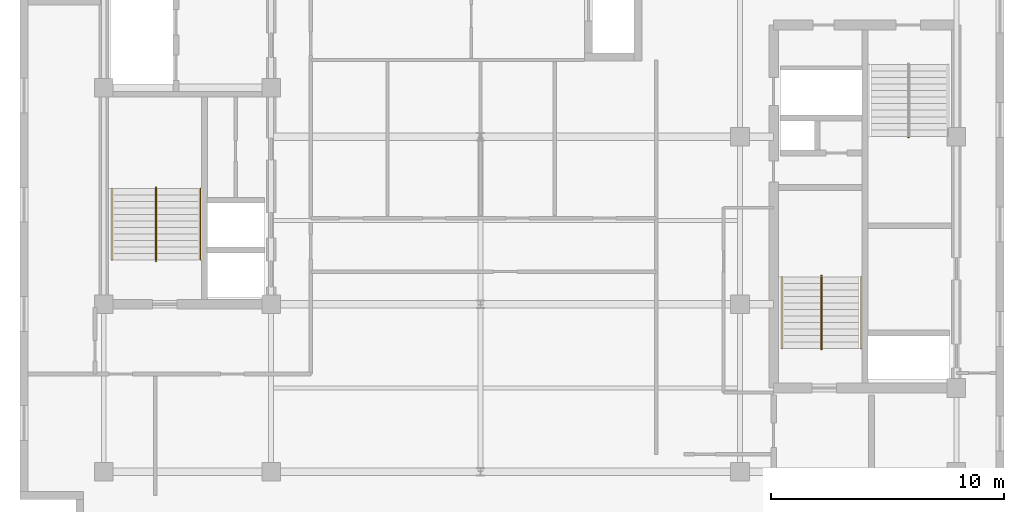
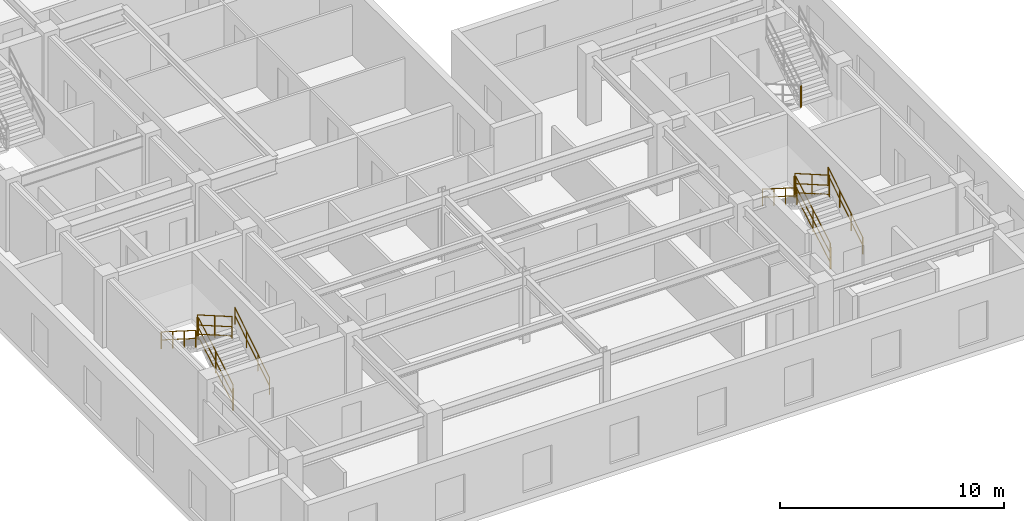
# One storey, part 8 of 10: 13 railings.
"""IFC4 building model written with IfcOpenShell, lengths in metres."""

from ifc_helpers import new_model, entity, si_unit, converted_unit, direction, frame, origin_with_axes, origin_2d_with_axis, place, context, subcontext, project, spatial, rectangle, circle, extrude, material, type_object, element, save


model = new_model("IFC4")

# Units and contexts
model_context = context("Model", 3, precision=1e-05, world=origin_with_axes(), true_north=direction((0.0, 1.0)))
body_context = subcontext(model_context, "Body", "Model", "MODEL_VIEW")
ifc_project = project(units=[si_unit("LENGTHUNIT", "METRE"), si_unit("AREAUNIT", "SQUARE_METRE"), si_unit("VOLUMEUNIT", "CUBIC_METRE"), converted_unit("PLANEANGLEUNIT", "DEGREE", entity("IfcPlaneAngleMeasure", 0.017453292519943295), si_unit("PLANEANGLEUNIT", "RADIAN"), dimensions=[0, 0, 0, 0, 0, 0, 0]), si_unit("MASSUNIT", "GRAM", prefix="KILO"), si_unit("THERMODYNAMICTEMPERATUREUNIT", "KELVIN")], contexts=[model_context])

# Site, building, storey
site_placement = place(None, origin_with_axes())
site = spatial("IfcSite", under=ifc_project, at=site_placement, CompositionType="ELEMENT")
building_placement = place(site_placement, origin_with_axes())
building = spatial("IfcBuilding", under=site, at=building_placement, Name="Varnlund Millrace Tower", CompositionType="ELEMENT")
storey_placement = place(building_placement, frame((0.0, 0.0, 272.4), z_axis=(0.0, 0.0, 1.0), x_axis=(1.0, 0.0, 0.0)))
storey = spatial("IfcBuildingStorey", under=building, at=storey_placement, Name="L67", CompositionType="ELEMENT", Elevation=272.4)

# Railings
ifc_material_1 = material(Name="Painted steel stair well balustrade guard", Category="steel")
railing_type_1 = type_object("IfcRailingType", Name="Type-StairGuard-1150", PredefinedType="GUARDRAIL", material=ifc_material_1)
railing_1_placement = place(storey_placement, frame((0.0, 0.0, -272.4), z_axis=(0.0, 0.0, 1.0), x_axis=(1.0, 0.0, 0.0)))
element("IfcRailing", 1, at=railing_1_placement, inside=storey, type_object=railing_type_1, Name="Type-StairGuard-1150", PredefinedType="GUARDRAIL", context=body_context, shape_type="SweptSolid", body=[
    extrude(circle(Radius=0.024, at=origin_2d_with_axis()), frame((13.675, 12.7, 273.727273), z_axis=(0.0, 0.866696, 0.498836), x_axis=(-1.0, 0.0, 0.0)), (0.0, 0.0, 1.0), 3.553725),
    extrude(circle(Radius=0.024, at=origin_2d_with_axis()), frame((13.675, 12.7, 272.677273), z_axis=(0.0, 0.866696, 0.498836), x_axis=(-1.0, 0.0, 0.0)), (0.0, 0.0, 1.0), 3.553725),
    extrude(circle(Radius=0.024, at=origin_2d_with_axis()), frame((13.675, 12.7, 273.175273), z_axis=(0.0, 0.866696, 0.498836), x_axis=(-1.0, 0.0, 0.0)), (0.0, 0.0, 1.0), 3.553725),
    extrude(rectangle(XDim=0.04, YDim=0.04, at=origin_2d_with_axis()), frame((13.675, 12.7, 272.537273), z_axis=(0.0, 0.0, 1.0), x_axis=(1.0, 0.0, 0.0)), (0.0, 0.0, 1.0), 1.19),
    extrude(rectangle(XDim=0.04, YDim=0.04, at=origin_2d_with_axis()), frame((13.675, 14.24, 273.423636), z_axis=(0.0, 0.0, 1.0), x_axis=(1.0, 0.0, 0.0)), (0.0, 0.0, 1.0), 1.19),
    extrude(rectangle(XDim=0.04, YDim=0.04, at=origin_2d_with_axis()), frame((13.675, 15.78, 274.31), z_axis=(0.0, 0.0, 1.0), x_axis=(1.0, 0.0, 0.0)), (0.0, 0.0, 1.0), 1.19),
])
railing_2_placement = place(storey_placement, frame((0.0, 0.0, -272.4), z_axis=(0.0, 0.0, 1.0), x_axis=(1.0, 0.0, 0.0)))
element("IfcRailing", 2, at=railing_2_placement, inside=storey, type_object=railing_type_1, Name="Type-StairGuard-1150", PredefinedType="GUARDRAIL", context=body_context, shape_type="SweptSolid", body=[
    extrude(circle(Radius=0.024, at=origin_2d_with_axis()), frame((13.625, 15.83, 275.5), z_axis=(1.0, 0.0, 0.0), x_axis=(0.0, 1.0, 0.0)), (0.0, 0.0, 1.0), 0.05),
    extrude(circle(Radius=0.024, at=origin_2d_with_axis()), frame((13.625, 15.83, 274.45), z_axis=(1.0, 0.0, 0.0), x_axis=(0.0, 1.0, 0.0)), (0.0, 0.0, 1.0), 0.05),
    extrude(circle(Radius=0.024, at=origin_2d_with_axis()), frame((13.625, 15.83, 274.948), z_axis=(1.0, 0.0, 0.0), x_axis=(0.0, 1.0, 0.0)), (0.0, 0.0, 1.0), 0.05),
    extrude(rectangle(XDim=0.04, YDim=0.04, at=origin_2d_with_axis()), frame((13.625, 15.83, 274.31), z_axis=(0.0, 0.0, 1.0), x_axis=(1.0, 0.0, 0.0)), (0.0, 0.0, 1.0), 1.19),
    extrude(rectangle(XDim=0.04, YDim=0.04, at=origin_2d_with_axis()), frame((13.675, 15.83, 274.31), z_axis=(0.0, 0.0, 1.0), x_axis=(1.0, 0.0, 0.0)), (0.0, 0.0, 1.0), 1.19),
])
railing_3_placement = place(storey_placement, frame((0.0, 0.0, -272.4), z_axis=(0.0, 0.0, 1.0), x_axis=(1.0, 0.0, 0.0)))
element("IfcRailing", 3, at=railing_3_placement, inside=storey, type_object=railing_type_1, Name="Type-StairGuard-1150", PredefinedType="GUARDRAIL", context=body_context, shape_type="SweptSolid", body=[
    extrude(circle(Radius=0.024, at=origin_2d_with_axis()), frame((13.625, 15.78, 275.677273), z_axis=(0.0, -0.866696, 0.498836), x_axis=(1.0, 0.0, 0.0)), (0.0, 0.0, 1.0), 3.553725),
    extrude(circle(Radius=0.024, at=origin_2d_with_axis()), frame((13.625, 15.78, 274.627273), z_axis=(0.0, -0.866696, 0.498836), x_axis=(1.0, 0.0, 0.0)), (0.0, 0.0, 1.0), 3.553725),
    extrude(circle(Radius=0.024, at=origin_2d_with_axis()), frame((13.625, 15.78, 275.125273), z_axis=(0.0, -0.866696, 0.498836), x_axis=(1.0, 0.0, 0.0)), (0.0, 0.0, 1.0), 3.553725),
    extrude(rectangle(XDim=0.04, YDim=0.04, at=origin_2d_with_axis()), frame((13.625, 15.78, 274.487273), z_axis=(0.0, 0.0, 1.0), x_axis=(1.0, 0.0, 0.0)), (0.0, 0.0, 1.0), 1.19),
    extrude(rectangle(XDim=0.04, YDim=0.04, at=origin_2d_with_axis()), frame((13.625, 14.24, 275.373636), z_axis=(0.0, 0.0, 1.0), x_axis=(1.0, 0.0, 0.0)), (0.0, 0.0, 1.0), 1.19),
    extrude(rectangle(XDim=0.04, YDim=0.04, at=origin_2d_with_axis()), frame((13.625, 12.7, 276.26), z_axis=(0.0, 0.0, 1.0), x_axis=(1.0, 0.0, 0.0)), (0.0, 0.0, 1.0), 1.19),
])
railing_4_placement = place(storey_placement, frame((0.0, 0.0, -272.4), z_axis=(0.0, 0.0, 1.0), x_axis=(1.0, 0.0, 0.0)))
element("IfcRailing", 4, at=railing_4_placement, inside=storey, type_object=railing_type_1, Name="Type-StairGuard-1150", PredefinedType="GUARDRAIL", context=body_context, shape_type="SweptSolid", body=[
    extrude(circle(Radius=0.024, at=origin_2d_with_axis()), frame((13.625, 12.65, 273.55), z_axis=(1.0, 0.0, 0.0), x_axis=(0.0, 1.0, 0.0)), (0.0, 0.0, 1.0), 0.05),
    extrude(circle(Radius=0.024, at=origin_2d_with_axis()), frame((13.625, 12.65, 272.5), z_axis=(1.0, 0.0, 0.0), x_axis=(0.0, 1.0, 0.0)), (0.0, 0.0, 1.0), 0.05),
    extrude(circle(Radius=0.024, at=origin_2d_with_axis()), frame((13.625, 12.65, 272.998), z_axis=(1.0, 0.0, 0.0), x_axis=(0.0, 1.0, 0.0)), (0.0, 0.0, 1.0), 0.05),
    extrude(rectangle(XDim=0.04, YDim=0.04, at=origin_2d_with_axis()), frame((13.625, 12.65, 272.36), z_axis=(0.0, 0.0, 1.0), x_axis=(1.0, 0.0, 0.0)), (0.0, 0.0, 1.0), 1.19),
    extrude(rectangle(XDim=0.04, YDim=0.04, at=origin_2d_with_axis()), frame((13.675, 12.65, 272.36), z_axis=(0.0, 0.0, 1.0), x_axis=(1.0, 0.0, 0.0)), (0.0, 0.0, 1.0), 1.19),
])
railing_5_placement = place(storey_placement, frame((0.0, 0.0, -272.4), z_axis=(0.0, 0.0, 1.0), x_axis=(1.0, 0.0, 0.0)))
element("IfcRailing", 5, at=railing_5_placement, inside=storey, type_object=railing_type_1, Name="Type-StairGuard-1150", PredefinedType="GUARDRAIL", context=body_context, shape_type="SweptSolid", body=[
    extrude(circle(Radius=0.024, at=origin_2d_with_axis()), frame((42.275, 8.9, 273.727273), z_axis=(0.0, 0.866696, 0.498836), x_axis=(-1.0, 0.0, 0.0)), (0.0, 0.0, 1.0), 3.553725),
    extrude(circle(Radius=0.024, at=origin_2d_with_axis()), frame((42.275, 8.9, 272.677273), z_axis=(0.0, 0.866696, 0.498836), x_axis=(-1.0, 0.0, 0.0)), (0.0, 0.0, 1.0), 3.553725),
    extrude(circle(Radius=0.024, at=origin_2d_with_axis()), frame((42.275, 8.9, 273.175273), z_axis=(0.0, 0.866696, 0.498836), x_axis=(-1.0, 0.0, 0.0)), (0.0, 0.0, 1.0), 3.553725),
    extrude(rectangle(XDim=0.04, YDim=0.04, at=origin_2d_with_axis()), frame((42.275, 8.9, 272.537273), z_axis=(0.0, 0.0, 1.0), x_axis=(1.0, 0.0, 0.0)), (0.0, 0.0, 1.0), 1.19),
    extrude(rectangle(XDim=0.04, YDim=0.04, at=origin_2d_with_axis()), frame((42.275, 10.44, 273.423636), z_axis=(0.0, 0.0, 1.0), x_axis=(1.0, 0.0, 0.0)), (0.0, 0.0, 1.0), 1.19),
    extrude(rectangle(XDim=0.04, YDim=0.04, at=origin_2d_with_axis()), frame((42.275, 11.98, 274.31), z_axis=(0.0, 0.0, 1.0), x_axis=(1.0, 0.0, 0.0)), (0.0, 0.0, 1.0), 1.19),
])
railing_6_placement = place(storey_placement, frame((0.0, 0.0, -272.4), z_axis=(0.0, 0.0, 1.0), x_axis=(1.0, 0.0, 0.0)))
element("IfcRailing", 6, at=railing_6_placement, inside=storey, type_object=railing_type_1, Name="Type-StairGuard-1150", PredefinedType="GUARDRAIL", context=body_context, shape_type="SweptSolid", body=[
    extrude(circle(Radius=0.024, at=origin_2d_with_axis()), frame((42.225, 12.03, 275.5), z_axis=(1.0, 0.0, 0.0), x_axis=(0.0, 1.0, 0.0)), (0.0, 0.0, 1.0), 0.05),
    extrude(circle(Radius=0.024, at=origin_2d_with_axis()), frame((42.225, 12.03, 274.45), z_axis=(1.0, 0.0, 0.0), x_axis=(0.0, 1.0, 0.0)), (0.0, 0.0, 1.0), 0.05),
    extrude(circle(Radius=0.024, at=origin_2d_with_axis()), frame((42.225, 12.03, 274.948), z_axis=(1.0, 0.0, 0.0), x_axis=(0.0, 1.0, 0.0)), (0.0, 0.0, 1.0), 0.05),
    extrude(rectangle(XDim=0.04, YDim=0.04, at=origin_2d_with_axis()), frame((42.225, 12.03, 274.31), z_axis=(0.0, 0.0, 1.0), x_axis=(1.0, 0.0, 0.0)), (0.0, 0.0, 1.0), 1.19),
    extrude(rectangle(XDim=0.04, YDim=0.04, at=origin_2d_with_axis()), frame((42.275, 12.03, 274.31), z_axis=(0.0, 0.0, 1.0), x_axis=(1.0, 0.0, 0.0)), (0.0, 0.0, 1.0), 1.19),
])
railing_7_placement = place(storey_placement, frame((0.0, 0.0, -272.4), z_axis=(0.0, 0.0, 1.0), x_axis=(1.0, 0.0, 0.0)))
element("IfcRailing", 7, at=railing_7_placement, inside=storey, type_object=railing_type_1, Name="Type-StairGuard-1150", PredefinedType="GUARDRAIL", context=body_context, shape_type="SweptSolid", body=[
    extrude(circle(Radius=0.024, at=origin_2d_with_axis()), frame((42.225, 11.98, 275.677273), z_axis=(0.0, -0.866696, 0.498836), x_axis=(1.0, 0.0, 0.0)), (0.0, 0.0, 1.0), 3.553725),
    extrude(circle(Radius=0.024, at=origin_2d_with_axis()), frame((42.225, 11.98, 274.627273), z_axis=(0.0, -0.866696, 0.498836), x_axis=(1.0, 0.0, 0.0)), (0.0, 0.0, 1.0), 3.553725),
    extrude(circle(Radius=0.024, at=origin_2d_with_axis()), frame((42.225, 11.98, 275.125273), z_axis=(0.0, -0.866696, 0.498836), x_axis=(1.0, 0.0, 0.0)), (0.0, 0.0, 1.0), 3.553725),
    extrude(rectangle(XDim=0.04, YDim=0.04, at=origin_2d_with_axis()), frame((42.225, 11.98, 274.487273), z_axis=(0.0, 0.0, 1.0), x_axis=(1.0, 0.0, 0.0)), (0.0, 0.0, 1.0), 1.19),
    extrude(rectangle(XDim=0.04, YDim=0.04, at=origin_2d_with_axis()), frame((42.225, 10.44, 275.373636), z_axis=(0.0, 0.0, 1.0), x_axis=(1.0, 0.0, 0.0)), (0.0, 0.0, 1.0), 1.19),
    extrude(rectangle(XDim=0.04, YDim=0.04, at=origin_2d_with_axis()), frame((42.225, 8.9, 276.26), z_axis=(0.0, 0.0, 1.0), x_axis=(1.0, 0.0, 0.0)), (0.0, 0.0, 1.0), 1.19),
])
railing_8_placement = place(storey_placement, frame((0.0, 0.0, -272.4), z_axis=(0.0, 0.0, 1.0), x_axis=(1.0, 0.0, 0.0)))
element("IfcRailing", 8, at=railing_8_placement, inside=storey, type_object=railing_type_1, Name="Type-StairGuard-1150", PredefinedType="GUARDRAIL", context=body_context, shape_type="SweptSolid", body=[
    extrude(circle(Radius=0.024, at=origin_2d_with_axis()), frame((42.225, 8.85, 273.55), z_axis=(1.0, 0.0, 0.0), x_axis=(0.0, 1.0, 0.0)), (0.0, 0.0, 1.0), 0.05),
    extrude(circle(Radius=0.024, at=origin_2d_with_axis()), frame((42.225, 8.85, 272.5), z_axis=(1.0, 0.0, 0.0), x_axis=(0.0, 1.0, 0.0)), (0.0, 0.0, 1.0), 0.05),
    extrude(circle(Radius=0.024, at=origin_2d_with_axis()), frame((42.225, 8.85, 272.998), z_axis=(1.0, 0.0, 0.0), x_axis=(0.0, 1.0, 0.0)), (0.0, 0.0, 1.0), 0.05),
    extrude(rectangle(XDim=0.04, YDim=0.04, at=origin_2d_with_axis()), frame((42.225, 8.85, 272.36), z_axis=(0.0, 0.0, 1.0), x_axis=(1.0, 0.0, 0.0)), (0.0, 0.0, 1.0), 1.19),
    extrude(rectangle(XDim=0.04, YDim=0.04, at=origin_2d_with_axis()), frame((42.275, 8.85, 272.36), z_axis=(0.0, 0.0, 1.0), x_axis=(1.0, 0.0, 0.0)), (0.0, 0.0, 1.0), 1.19),
])
railing_9_placement = place(storey_placement, frame((0.0, 0.0, -272.4), z_axis=(0.0, 0.0, 1.0), x_axis=(1.0, 0.0, 0.0)))
element("IfcRailing", 9, at=railing_9_placement, inside=storey, type_object=railing_type_1, Name="Type-StairGuard-1150", PredefinedType="GUARDRAIL", context=body_context, shape_type="SweptSolid", body=[
    extrude(circle(Radius=0.024, at=origin_2d_with_axis()), frame((46.025, 17.97, 275.5), z_axis=(-1.0, 0.0, 0.0), x_axis=(0.0, -1.0, 0.0)), (0.0, 0.0, 1.0), 0.05),
    extrude(circle(Radius=0.024, at=origin_2d_with_axis()), frame((46.025, 17.97, 274.45), z_axis=(-1.0, 0.0, 0.0), x_axis=(0.0, -1.0, 0.0)), (0.0, 0.0, 1.0), 0.05),
    extrude(circle(Radius=0.024, at=origin_2d_with_axis()), frame((46.025, 17.97, 274.948), z_axis=(-1.0, 0.0, 0.0), x_axis=(0.0, -1.0, 0.0)), (0.0, 0.0, 1.0), 0.05),
    extrude(rectangle(XDim=0.04, YDim=0.04, at=origin_2d_with_axis()), frame((46.025, 17.97, 274.31), z_axis=(0.0, 0.0, 1.0), x_axis=(1.0, 0.0, 0.0)), (0.0, 0.0, 1.0), 1.19),
    extrude(rectangle(XDim=0.04, YDim=0.04, at=origin_2d_with_axis()), frame((45.975, 17.97, 274.31), z_axis=(0.0, 0.0, 1.0), x_axis=(1.0, 0.0, 0.0)), (0.0, 0.0, 1.0), 1.19),
])
ifc_material_2 = material(Name="Brushed architectural bronze stair handrail", Category="aluminium")
railing_type_2 = type_object("IfcRailingType", Name="Type-StairHandrail-900", PredefinedType="HANDRAIL", material=ifc_material_2)
railing_10_placement = place(storey_placement, frame((0.0, 0.0, -272.4), z_axis=(0.0, 0.0, 1.0), x_axis=(1.0, 0.0, 0.0)))
element("IfcRailing", 10, at=railing_10_placement, inside=storey, type_object=railing_type_2, Name="Type-StairHandrail-900", PredefinedType="HANDRAIL", context=body_context, shape_type="SweptSolid", body=[
    extrude(circle(Radius=0.024, at=origin_2d_with_axis()), frame((15.55, 12.7, 273.456995), z_axis=(0.0, 0.844902, 0.534922), x_axis=(-1.0, 0.0, 0.0)), (0.0, 0.0, 1.0), 3.645394),
    extrude(circle(Radius=0.024, at=origin_2d_with_axis()), frame((15.55, 12.7, 273.017134), z_axis=(0.0, 0.844902, 0.534922), x_axis=(-1.0, 0.0, 0.0)), (0.0, 0.0, 1.0), 3.645394),
    extrude(rectangle(XDim=0.04, YDim=0.04, at=origin_2d_with_axis()), frame((15.55, 12.7, 272.537273), z_axis=(0.0, 0.0, 1.0), x_axis=(1.0, 0.0, 0.0)), (0.0, 0.0, 1.0), 0.919722),
    extrude(rectangle(XDim=0.04, YDim=0.04, at=origin_2d_with_axis()), frame((15.55, 13.726667, 273.187273), z_axis=(0.0, 0.0, 1.0), x_axis=(1.0, 0.0, 0.0)), (0.0, 0.0, 1.0), 0.919722),
    extrude(rectangle(XDim=0.04, YDim=0.04, at=origin_2d_with_axis()), frame((15.55, 14.753333, 273.837273), z_axis=(0.0, 0.0, 1.0), x_axis=(1.0, 0.0, 0.0)), (0.0, 0.0, 1.0), 0.919722),
    extrude(rectangle(XDim=0.04, YDim=0.04, at=origin_2d_with_axis()), frame((15.55, 15.78, 274.487273), z_axis=(0.0, 0.0, 1.0), x_axis=(1.0, 0.0, 0.0)), (0.0, 0.0, 1.0), 0.919722),
])
railing_11_placement = place(storey_placement, frame((0.0, 0.0, -272.4), z_axis=(0.0, 0.0, 1.0), x_axis=(1.0, 0.0, 0.0)))
element("IfcRailing", 11, at=railing_11_placement, inside=storey, type_object=railing_type_2, Name="Type-StairHandrail-900", PredefinedType="HANDRAIL", context=body_context, shape_type="SweptSolid", body=[
    extrude(circle(Radius=0.024, at=origin_2d_with_axis()), frame((11.75, 15.78, 275.406995), z_axis=(0.0, -0.844902, 0.534922), x_axis=(1.0, 0.0, 0.0)), (0.0, 0.0, 1.0), 3.645394),
    extrude(circle(Radius=0.024, at=origin_2d_with_axis()), frame((11.75, 15.78, 274.967134), z_axis=(0.0, -0.844902, 0.534922), x_axis=(1.0, 0.0, 0.0)), (0.0, 0.0, 1.0), 3.645394),
    extrude(rectangle(XDim=0.04, YDim=0.04, at=origin_2d_with_axis()), frame((11.75, 15.78, 274.487273), z_axis=(0.0, 0.0, 1.0), x_axis=(1.0, 0.0, 0.0)), (0.0, 0.0, 1.0), 0.919722),
    extrude(rectangle(XDim=0.04, YDim=0.04, at=origin_2d_with_axis()), frame((11.75, 14.753333, 275.137273), z_axis=(0.0, 0.0, 1.0), x_axis=(1.0, 0.0, 0.0)), (0.0, 0.0, 1.0), 0.919722),
    extrude(rectangle(XDim=0.04, YDim=0.04, at=origin_2d_with_axis()), frame((11.75, 13.726667, 275.787273), z_axis=(0.0, 0.0, 1.0), x_axis=(1.0, 0.0, 0.0)), (0.0, 0.0, 1.0), 0.919722),
    extrude(rectangle(XDim=0.04, YDim=0.04, at=origin_2d_with_axis()), frame((11.75, 12.7, 276.437273), z_axis=(0.0, 0.0, 1.0), x_axis=(1.0, 0.0, 0.0)), (0.0, 0.0, 1.0), 0.919722),
])
railing_12_placement = place(storey_placement, frame((0.0, 0.0, -272.4), z_axis=(0.0, 0.0, 1.0), x_axis=(1.0, 0.0, 0.0)))
element("IfcRailing", 12, at=railing_12_placement, inside=storey, type_object=railing_type_2, Name="Type-StairHandrail-900", PredefinedType="HANDRAIL", context=body_context, shape_type="SweptSolid", body=[
    extrude(circle(Radius=0.024, at=origin_2d_with_axis()), frame((43.95, 8.9, 273.456995), z_axis=(0.0, 0.844902, 0.534922), x_axis=(-1.0, 0.0, 0.0)), (0.0, 0.0, 1.0), 3.645394),
    extrude(circle(Radius=0.024, at=origin_2d_with_axis()), frame((43.95, 8.9, 273.017134), z_axis=(0.0, 0.844902, 0.534922), x_axis=(-1.0, 0.0, 0.0)), (0.0, 0.0, 1.0), 3.645394),
    extrude(rectangle(XDim=0.04, YDim=0.04, at=origin_2d_with_axis()), frame((43.95, 8.9, 272.537273), z_axis=(0.0, 0.0, 1.0), x_axis=(1.0, 0.0, 0.0)), (0.0, 0.0, 1.0), 0.919722),
    extrude(rectangle(XDim=0.04, YDim=0.04, at=origin_2d_with_axis()), frame((43.95, 9.926667, 273.187273), z_axis=(0.0, 0.0, 1.0), x_axis=(1.0, 0.0, 0.0)), (0.0, 0.0, 1.0), 0.919722),
    extrude(rectangle(XDim=0.04, YDim=0.04, at=origin_2d_with_axis()), frame((43.95, 10.953333, 273.837273), z_axis=(0.0, 0.0, 1.0), x_axis=(1.0, 0.0, 0.0)), (0.0, 0.0, 1.0), 0.919722),
    extrude(rectangle(XDim=0.04, YDim=0.04, at=origin_2d_with_axis()), frame((43.95, 11.98, 274.487273), z_axis=(0.0, 0.0, 1.0), x_axis=(1.0, 0.0, 0.0)), (0.0, 0.0, 1.0), 0.919722),
])
railing_13_placement = place(storey_placement, frame((0.0, 0.0, -272.4), z_axis=(0.0, 0.0, 1.0), x_axis=(1.0, 0.0, 0.0)))
element("IfcRailing", 13, at=railing_13_placement, inside=storey, type_object=railing_type_2, Name="Type-StairHandrail-900", PredefinedType="HANDRAIL", context=body_context, shape_type="SweptSolid", body=[
    extrude(circle(Radius=0.024, at=origin_2d_with_axis()), frame((40.55, 11.98, 275.406995), z_axis=(0.0, -0.844902, 0.534922), x_axis=(1.0, 0.0, 0.0)), (0.0, 0.0, 1.0), 3.645394),
    extrude(circle(Radius=0.024, at=origin_2d_with_axis()), frame((40.55, 11.98, 274.967134), z_axis=(0.0, -0.844902, 0.534922), x_axis=(1.0, 0.0, 0.0)), (0.0, 0.0, 1.0), 3.645394),
    extrude(rectangle(XDim=0.04, YDim=0.04, at=origin_2d_with_axis()), frame((40.55, 11.98, 274.487273), z_axis=(0.0, 0.0, 1.0), x_axis=(1.0, 0.0, 0.0)), (0.0, 0.0, 1.0), 0.919722),
    extrude(rectangle(XDim=0.04, YDim=0.04, at=origin_2d_with_axis()), frame((40.55, 10.953333, 275.137273), z_axis=(0.0, 0.0, 1.0), x_axis=(1.0, 0.0, 0.0)), (0.0, 0.0, 1.0), 0.919722),
    extrude(rectangle(XDim=0.04, YDim=0.04, at=origin_2d_with_axis()), frame((40.55, 9.926667, 275.787273), z_axis=(0.0, 0.0, 1.0), x_axis=(1.0, 0.0, 0.0)), (0.0, 0.0, 1.0), 0.919722),
    extrude(rectangle(XDim=0.04, YDim=0.04, at=origin_2d_with_axis()), frame((40.55, 8.9, 276.437273), z_axis=(0.0, 0.0, 1.0), x_axis=(1.0, 0.0, 0.0)), (0.0, 0.0, 1.0), 0.919722),
])

save(model, "model.ifc")
